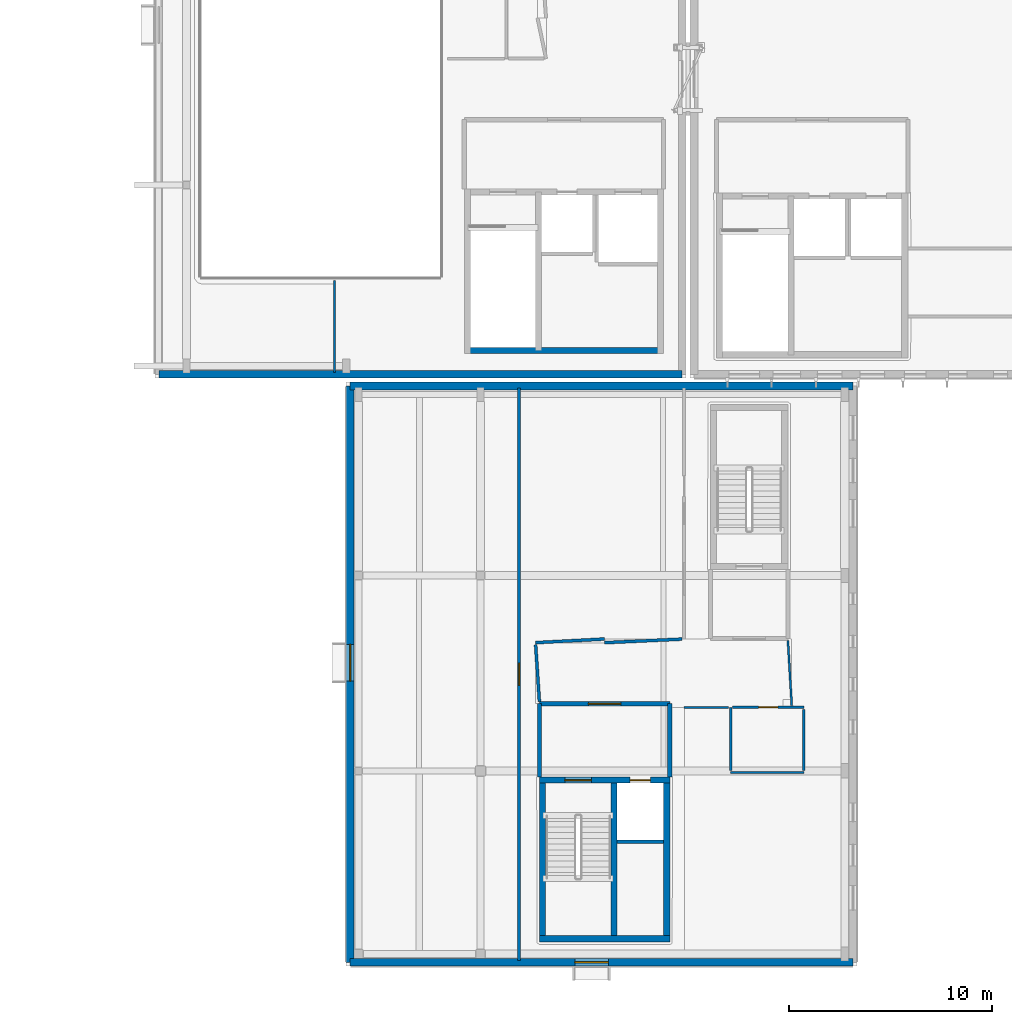
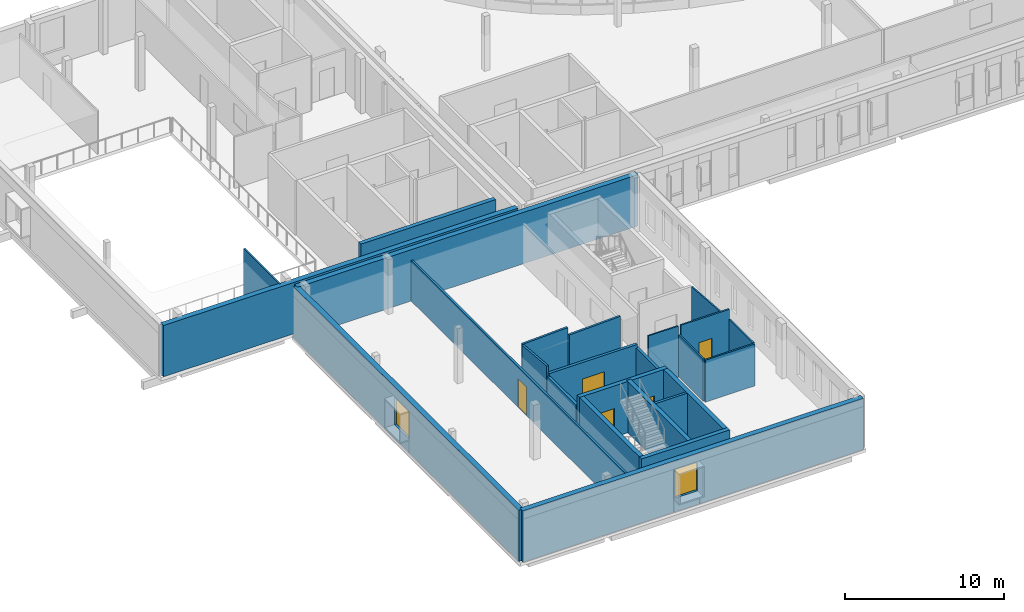
# One storey, part 37 of 73: 25 walls, 5 doors, 2 windows, 7 openings.
"""IFC4 building model written with IfcOpenShell, lengths in metres."""

from ifc_helpers import new_model, si_unit, direction, frame, frame_2d, origin, place, context, subcontext, project, spatial, rectangle, extrude, material, layer, layer_set, type_object, element, fill, save


model = new_model("IFC4")

# Units and contexts
model_context = context("Model", 3, precision=1e-05, world=origin(), true_north=direction((0.0, 1.0)))
body_context = subcontext(model_context, "Body", "Model", "MODEL_VIEW")
ifc_project = project(units=[si_unit("LENGTHUNIT", "METRE"), si_unit("AREAUNIT", "SQUARE_METRE"), si_unit("VOLUMEUNIT", "CUBIC_METRE"), si_unit("PLANEANGLEUNIT", "RADIAN"), si_unit("MASSUNIT", "GRAM", prefix="KILO")], contexts=[model_context])

# Site, building, storey
site_placement = place(None, origin())
site = spatial("IfcSite", under=ifc_project, at=site_placement, CompositionType="ELEMENT")
building_placement = place(site_placement, origin())
building = spatial("IfcBuilding", under=site, at=building_placement, Name="Mzevani Central Library", CompositionType="ELEMENT")
storey_placement = place(building_placement, frame((0.0, 0.0, 9.60009765625)))
storey = spatial("IfcBuildingStorey", under=building, at=storey_placement, Name="L02", CompositionType="ELEMENT", Elevation=9.60009765625)

# Wall
ifc_material_1 = material(Name="Concrete C35/45", Category="concrete")
ifc_layer_1 = layer(ifc_material_1, 0.199951171875, Name="Compartment Wall 200")
ifc_layer_set_1 = layer_set([ifc_layer_1], Name="Concrete C35/45")
wall_type_1 = type_object("IfcWallType", Name="Compartment Wall 200", PredefinedType="STANDARD", material=ifc_layer_set_1)
wall_1_placement = place(storey_placement, frame((38.699951171875, 22.89990234375, 0.0), z_axis=(0.0, 0.0, 1.0), x_axis=(0.0, 1.0, 0.0)))
element("IfcWall", 1, at=wall_1_placement, inside=storey, type_object=wall_type_1, Name="L02 Protected Stair Lobby C4A Enclosure Wall 1", PredefinedType="STANDARD", context=body_context, shape_type="SweptSolid", body=[
    extrude(rectangle(XDim=3.60009765625, YDim=0.199951171875, at=frame_2d((1.800048828125, 0.0))), origin(), (0.0, 0.0, 1.0), 3.219970703125),
])

# Wall, opening, door
wall_2_placement = place(storey_placement, frame((38.699951171875, 26.5, 0.0), z_axis=(0.0, 0.0, 1.0), x_axis=(1.0, 0.0, 0.0)))
wall_2 = element("IfcWall", 2, at=wall_2_placement, inside=storey, type_object=wall_type_1, Name="L02 Protected Stair Lobby C4A Enclosure Wall 2", PredefinedType="STANDARD", context=body_context, shape_type="SweptSolid", body=[
    extrude(rectangle(XDim=6.400146484375, YDim=0.199951171875, at=frame_2d((3.2001953125, 0.0))), origin(), (0.0, 0.0, 1.0), 3.469970703125),
])
opening_1_placement = place(wall_2_placement, frame((2.39990234375, 0.0, 0.0)))
opening_1 = element("IfcOpeningElement", 3, at=opening_1_placement, cuts=wall_2, Name="Opening FD-02", PredefinedType="OPENING", context=body_context, shape_type="SweptSolid", body=[
    extrude(rectangle(XDim=1.60009765625, YDim=2.199951171875, at=frame_2d((0.800048828125, 1.10009765625))), frame((0.0, 0.10986328125, 0.0), z_axis=(0.0, -1.0, 0.0), x_axis=(1.0, 0.0, 0.0)), (0.0, 0.0, 1.0), 0.219970703125),
])
ifc_material_2 = material(Name="Fire-rated steel door assembly", Category="steel")
door_type_1 = type_object("IfcDoorType", Name="Fire Lobby Double Door 1600x2200", OperationType="NOTDEFINED", PredefinedType="DOOR", material=ifc_material_2)
door_1_placement = place(opening_1_placement, origin())
door_1 = element("IfcDoor", 4, at=door_1_placement, inside=storey, type_object=door_type_1, Name="L02 Protected Stair Lobby C4A Smoke-Control Door", OperationType="DOUBLE_DOOR_SINGLE_SWING", OverallHeight=2.199951171875, OverallWidth=1.60009765625, PredefinedType="DOOR", context=body_context, shape_type="SweptSolid", body=[
    extrude(rectangle(XDim=1.60009765625, YDim=2.199951171875, at=frame_2d((0.800048828125, 1.10009765625))), frame((0.0, 0.02490234375, 0.0), z_axis=(0.0, -1.0, 0.0), x_axis=(1.0, 0.0, 0.0)), (0.0, 0.0, 1.0), 0.050048828125),
])
fill(opening_1, door_1)

# Walls
wall_3_placement = place(storey_placement, frame((45.10009765625, 26.5, 0.0), z_axis=(0.0, 0.0, 1.0), x_axis=(0.0, -1.0, 0.0)))
element("IfcWall", 5, at=wall_3_placement, inside=storey, type_object=wall_type_1, Name="L02 Protected Stair Lobby C4A Enclosure Wall 3", PredefinedType="STANDARD", context=body_context, shape_type="SweptSolid", body=[
    extrude(rectangle(XDim=3.60009765625, YDim=0.199951171875, at=frame_2d((1.800048828125, 0.0))), origin(), (0.0, 0.0, 1.0), 3.219970703125),
])
ifc_material_3 = material(Name="Concrete C40/50", Category="concrete")
ifc_layer_2 = layer(ifc_material_3, 0.300048828125, Name="Core Shear Wall 300")
ifc_layer_set_2 = layer_set([ifc_layer_2], Name="Concrete C40/50")
wall_type_2 = type_object("IfcWallType", Name="Core Shear Wall 300", PredefinedType="SHEAR", material=ifc_layer_set_2)
wall_4_placement = place(storey_placement, frame((45.10009765625, 14.949951171875, 0.0), z_axis=(0.0, 0.0, 1.0), x_axis=(-1.0, 0.0, 0.0)))
element("IfcWall", 6, at=wall_4_placement, inside=storey, type_object=wall_type_2, Name="L02 Core C4A Cultural Wing Core Shear Wall (-y)", PredefinedType="SHEAR", context=body_context, shape_type="SweptSolid", body=[
    extrude(rectangle(XDim=6.400146484375, YDim=0.300048828125, at=frame_2d((3.2001953125, 0.0))), origin(), (0.0, 0.0, 1.0), 3.93994140625),
])
wall_5_placement = place(storey_placement, frame((38.85009765625, 14.800048828125, 0.0), z_axis=(0.0, 0.0, 1.0), x_axis=(0.0, 1.0, 0.0)))
element("IfcWall", 7, at=wall_5_placement, inside=storey, type_object=wall_type_2, Name="L02 Core C4A Cultural Wing Core Shear Wall (-x)", PredefinedType="SHEAR", context=body_context, shape_type="SweptSolid", body=[
    extrude(rectangle(XDim=8.099853515625, YDim=0.300048828125, at=frame_2d((4.0498046875, 0.0))), origin(), (0.0, 0.0, 1.0), 3.93994140625),
])

# Wall, openings, doors
wall_6_placement = place(storey_placement, frame((38.699951171875, 22.75, 0.0), z_axis=(0.0, 0.0, 1.0), x_axis=(1.0, 0.0, 0.0)))
wall_6 = element("IfcWall", 8, at=wall_6_placement, inside=storey, type_object=wall_type_2, Name="L02 Core C4A Cultural Wing Core Shear Wall (+y)", PredefinedType="SHEAR", context=body_context, shape_type="SweptSolid", body=[
    extrude(rectangle(XDim=6.400146484375, YDim=0.300048828125, at=frame_2d((3.2001953125, 0.0))), origin(), (0.0, 0.0, 1.0), 3.93994140625),
])
opening_2_placement = place(wall_6_placement, frame((1.25, 0.0, 0.0)))
opening_2 = element("IfcOpeningElement", 9, at=opening_2_placement, cuts=wall_6, Name="Opening FD-01", PredefinedType="OPENING", context=body_context, shape_type="SweptSolid", body=[
    extrude(rectangle(XDim=1.300048828125, YDim=2.199951171875, at=frame_2d((0.64990234375, 1.10009765625))), frame((0.0, 0.16015625, 0.0), z_axis=(0.0, -1.0, 0.0), x_axis=(1.0, 0.0, 0.0)), (0.0, 0.0, 1.0), 0.320068359375),
])
opening_3_placement = place(wall_6_placement, frame((4.449951171875, 0.0, 0.0)))
opening_3 = element("IfcOpeningElement", 10, at=opening_3_placement, cuts=wall_6, Name="Opening LD-01", PredefinedType="OPENING", context=body_context, shape_type="SweptSolid", body=[
    extrude(rectangle(XDim=1.0, YDim=2.14990234375, at=frame_2d((0.5, 1.074951171875))), frame((0.0, 0.16015625, 0.0), z_axis=(0.0, -1.0, 0.0), x_axis=(1.0, 0.0, 0.0)), (0.0, 0.0, 1.0), 0.320068359375),
])
door_type_2 = type_object("IfcDoorType", Name="Fire Stair Door 1300x2200", OperationType="NOTDEFINED", PredefinedType="DOOR", material=ifc_material_2)
door_2_placement = place(opening_2_placement, origin())
door_2 = element("IfcDoor", 11, at=door_2_placement, inside=storey, type_object=door_type_2, Name="L02 ST-07 Protected Exit Stair Door", OperationType="SINGLE_SWING_LEFT", OverallHeight=2.199951171875, OverallWidth=1.300048828125, PredefinedType="DOOR", context=body_context, shape_type="SweptSolid", body=[
    extrude(rectangle(XDim=1.300048828125, YDim=2.199951171875, at=frame_2d((0.64990234375, 1.10009765625))), frame((0.0, 0.02490234375, 0.0), z_axis=(0.0, -1.0, 0.0), x_axis=(1.0, 0.0, 0.0)), (0.0, 0.0, 1.0), 0.050048828125),
])
fill(opening_2, door_2)
ifc_material_4 = material(Name="Brushed stainless steel door", Category="steel")
door_type_3 = type_object("IfcDoorType", Name="Passenger Lift Landing Door 1000x2150", OperationType="NOTDEFINED", PredefinedType="DOOR", material=ifc_material_4)
door_3_placement = place(opening_3_placement, origin())
door_3 = element("IfcDoor", 12, at=door_3_placement, inside=storey, type_object=door_type_3, Name="L02 Lift LF-P3 Sliding Landing Door", OperationType="SLIDING_TO_LEFT", OverallHeight=2.14990234375, OverallWidth=1.0, PredefinedType="DOOR", context=body_context, shape_type="SweptSolid", body=[
    extrude(rectangle(XDim=1.0, YDim=2.14990234375, at=frame_2d((0.5, 1.074951171875))), frame((0.0, 0.02490234375, 0.0), z_axis=(0.0, -1.0, 0.0), x_axis=(1.0, 0.0, 0.0)), (0.0, 0.0, 1.0), 0.050048828125),
])
fill(opening_3, door_3)

# Walls
wall_7_placement = place(storey_placement, frame((44.949951171875, 22.89990234375, 0.0), z_axis=(0.0, 0.0, 1.0), x_axis=(0.0, -1.0, 0.0)))
element("IfcWall", 13, at=wall_7_placement, inside=storey, type_object=wall_type_2, Name="L02 Core C4A Cultural Wing Core Shear Wall (+x)", PredefinedType="SHEAR", context=body_context, shape_type="SweptSolid", body=[
    extrude(rectangle(XDim=8.099853515625, YDim=0.300048828125, at=frame_2d((4.0498046875, 0.0))), origin(), (0.0, 0.0, 1.0), 3.93994140625),
])
wall_8_placement = place(storey_placement, frame((42.35009765625, 14.949951171875, 0.0), z_axis=(0.0, 0.0, 1.0), x_axis=(0.0, 1.0, 0.0)))
element("IfcWall", 14, at=wall_8_placement, inside=storey, type_object=wall_type_2, Name="L02 Core C4A Cultural Wing Core Hoistway Shear Wall", PredefinedType="SHEAR", context=body_context, shape_type="SweptSolid", body=[
    extrude(rectangle(XDim=7.800048828125, YDim=0.300048828125, at=frame_2d((3.89990234375, 0.0))), origin(), (0.0, 0.0, 1.0), 3.93994140625),
])
wall_9_placement = place(storey_placement, frame((44.800048828125, 43.85009765625, 0.0), z_axis=(0.0, 0.0, 1.0), x_axis=(-1.0, 0.0, 0.0)))
element("IfcWall", 15, at=wall_9_placement, inside=storey, type_object=wall_type_2, Name="L02 Core C5A Auditorium & Goods Core Shear Wall (-y)", PredefinedType="SHEAR", context=body_context, shape_type="SweptSolid", body=[
    extrude(rectangle(XDim=9.800048828125, YDim=0.300048828125, at=frame_2d((4.89990234375, 0.0))), origin(), (0.0, 0.0, 1.0), 4.199951171875),
])

# Wall, opening, window
ifc_material_5 = material(Name="Precast concrete C40/50", Category="concrete")
ifc_layer_3 = layer(ifc_material_5, 0.3798828125, Name="Exterior Thermal Concrete Wall 380")
ifc_layer_set_3 = layer_set([ifc_layer_3], Name="Precast concrete C40/50")
wall_type_3 = type_object("IfcWallType", Name="Exterior Thermal Concrete Wall 380", PredefinedType="STANDARD", material=ifc_layer_set_3)
wall_10_placement = place(storey_placement, frame((54.110107421875, 13.7900390625, 0.0), z_axis=(0.0, 0.0, 1.0), x_axis=(-1.0, 0.0, 0.0)))
wall_10 = element("IfcWall", 16, at=wall_10_placement, inside=storey, type_object=wall_type_3, Name="L02 V4 Exterior Thermal Wall (80)", PredefinedType="STANDARD", context=body_context, shape_type="SweptSolid", body=[
    extrude(rectangle(XDim=24.72021484375, YDim=0.3798828125, at=frame_2d((12.360107421875, 0.0))), origin(), (0.0, 0.0, 1.0), 3.93994140625),
])
opening_4_placement = place(wall_10_placement, frame((12.029296875, 0.0, 1.050048828125)))
opening_4 = element("IfcOpeningElement", 17, at=opening_4_placement, cuts=wall_10, Name="Opening W-13", PredefinedType="OPENING", context=body_context, shape_type="SweptSolid", body=[
    extrude(rectangle(XDim=1.64990234375, YDim=2.199951171875, at=frame_2d((0.824951171875, 1.10009765625))), frame((0.0, 0.199951171875, 0.0), z_axis=(0.0, -1.0, 0.0), x_axis=(1.0, 0.0, 0.0)), (0.0, 0.0, 1.0), 0.39990234375),
])
ifc_material_6 = material(Name="Low-E triple glazing glass", Category="glass")
window_type_1 = type_object("IfcWindowType", Name="Deep Reveal Window 1650x2200", PartitioningType="SINGLE_PANEL", PredefinedType="WINDOW", material=ifc_material_6)
window_1_placement = place(opening_4_placement, origin())
window_1 = element("IfcWindow", 18, at=window_1_placement, inside=storey, type_object=window_type_1, Name="L02 V4 Deep-Reveal Window W-13 (163)", OverallHeight=2.199951171875, OverallWidth=1.64990234375, PartitioningType="SINGLE_PANEL", PredefinedType="WINDOW", context=body_context, shape_type="SweptSolid", body=[
    extrude(rectangle(XDim=1.64990234375, YDim=2.199951171875, at=frame_2d((0.824951171875, 1.10009765625))), frame((0.0, 0.030029296875, 0.0), z_axis=(0.0, -1.0, 0.0), x_axis=(1.0, 0.0, 0.0)), (0.0, 0.0, 1.0), 0.06005859375),
])
fill(opening_4, window_1)

wall_11_placement = place(storey_placement, frame((29.389892578125, 13.7900390625, 0.0), z_axis=(0.0, 0.0, 1.0), x_axis=(0.0, 1.0, 0.0)))
wall_11 = element("IfcWall", 19, at=wall_11_placement, inside=storey, type_object=wall_type_3, Name="L02 V4 Exterior Thermal Wall (81)", PredefinedType="STANDARD", context=body_context, shape_type="SweptSolid", body=[
    extrude(rectangle(XDim=28.320068359375, YDim=0.3798828125, at=frame_2d((14.16015625, 0.0))), origin(), (0.0, 0.0, 1.0), 3.93994140625),
])
opening_5_placement = place(wall_11_placement, frame((13.826416015625, 0.0, 1.050048828125)))
opening_5 = element("IfcOpeningElement", 20, at=opening_5_placement, cuts=wall_11, Name="Opening W-14", PredefinedType="OPENING", context=body_context, shape_type="SweptSolid", body=[
    extrude(rectangle(XDim=1.800048828125, YDim=2.10009765625, at=frame_2d((0.89990234375, 1.050048828125))), frame((0.0, 0.199951171875, 0.0), z_axis=(0.0, -1.0, 0.0), x_axis=(1.0, 0.0, 0.0)), (0.0, 0.0, 1.0), 0.39990234375),
])
window_type_2 = type_object("IfcWindowType", Name="Deep Reveal Window 1800x2100", PartitioningType="SINGLE_PANEL", PredefinedType="WINDOW", material=ifc_material_6)
window_2_placement = place(opening_5_placement, origin())
window_2 = element("IfcWindow", 21, at=window_2_placement, inside=storey, type_object=window_type_2, Name="L02 V4 Deep-Reveal Window W-14 (164)", OverallHeight=2.10009765625, OverallWidth=1.800048828125, PartitioningType="SINGLE_PANEL", PredefinedType="WINDOW", context=body_context, shape_type="SweptSolid", body=[
    extrude(rectangle(XDim=1.800048828125, YDim=2.10009765625, at=frame_2d((0.89990234375, 1.050048828125))), frame((0.0, 0.030029296875, 0.0), z_axis=(0.0, -1.0, 0.0), x_axis=(1.0, 0.0, 0.0)), (0.0, 0.0, 1.0), 0.06005859375),
])
fill(opening_5, window_2)

# Walls
wall_12_placement = place(storey_placement, frame((29.389892578125, 42.110107421875, 0.0), z_axis=(0.0, 0.0, 1.0), x_axis=(1.0, 0.0, 0.0)))
element("IfcWall", 22, at=wall_12_placement, inside=storey, type_object=wall_type_3, Name="L02 V4 Exterior Thermal Wall (82)", PredefinedType="STANDARD", context=body_context, shape_type="SweptSolid", body=[
    extrude(rectangle(XDim=24.72021484375, YDim=0.3798828125, at=frame_2d((12.360107421875, 0.0))), origin(), (0.0, 0.0, 1.0), 3.93994140625),
])
wall_13_placement = place(storey_placement, frame((45.7099609375, 42.68994140625, 0.0), z_axis=(0.0, 0.0, 1.0), x_axis=(-1.0, 0.0, 0.0)))
element("IfcWall", 23, at=wall_13_placement, inside=storey, type_object=wall_type_3, Name="L02 V5 Exterior Thermal Wall (99)", PredefinedType="STANDARD", context=body_context, shape_type="SweptSolid", body=[
    extrude(rectangle(XDim=25.719970703125, YDim=0.3798828125, at=frame_2d((12.85986328125, 0.0))), origin(), (0.0, 0.0, 1.0), 3.93994140625),
])
ifc_material_7 = material(Name="Fire-rated gypsum board", Category="gypsum")
ifc_layer_4 = layer(ifc_material_7, 0.1201171875, Name="Partition Acoustic 120")
ifc_layer_set_4 = layer_set([ifc_layer_4], Name="Fire-rated gypsum board")
wall_type_4 = type_object("IfcWallType", Name="Partition Acoustic 120", PredefinedType="PARTITIONING", material=ifc_layer_set_4)
wall_14_placement = place(storey_placement, frame((51.68994140625, 23.1201171875, 0.0), z_axis=(0.0, 0.0, 1.0), x_axis=(-1.0, 0.0, 0.0)))
element("IfcWall", 24, at=wall_14_placement, inside=storey, type_object=wall_type_4, Name="L02 V4 Partition IW-02 (458)", PredefinedType="PARTITIONING", context=body_context, shape_type="SweptSolid", body=[
    extrude(rectangle(XDim=3.599853515625, YDim=0.1201171875, at=frame_2d((1.7998046875, 0.0))), origin(), (0.0, 0.0, 1.0), 3.219970703125),
])
wall_15_placement = place(storey_placement, frame((48.090087890625, 23.219970703125, 0.0), z_axis=(0.0, 0.0, 1.0), x_axis=(0.0, 1.0, 0.0)))
element("IfcWall", 25, at=wall_15_placement, inside=storey, type_object=wall_type_4, Name="L02 V4 Partition IW-02 (459)", PredefinedType="PARTITIONING", context=body_context, shape_type="SweptSolid", body=[
    extrude(rectangle(XDim=3.10009765625, YDim=0.1201171875, at=frame_2d((1.550048828125, 0.0))), origin(), (0.0, 0.0, 1.0), 3.219970703125),
])

# Wall, opening, door
wall_16_placement = place(storey_placement, frame((48.18994140625, 26.320068359375, 0.0), z_axis=(0.0, 0.0, 1.0), x_axis=(1.0, 0.0, 0.0)))
wall_16 = element("IfcWall", 26, at=wall_16_placement, inside=storey, type_object=wall_type_4, Name="L02 V4 Partition IW-02 (460)", PredefinedType="PARTITIONING", context=body_context, shape_type="SweptSolid", body=[
    extrude(rectangle(XDim=3.5, YDim=0.1201171875, at=frame_2d((1.75, 0.0))), origin(), (0.0, 0.0, 1.0), 3.93994140625),
])
opening_6_placement = place(wall_16_placement, frame((1.27490234375, 0.0, 0.0)))
opening_6 = element("IfcOpeningElement", 27, at=opening_6_placement, cuts=wall_16, Name="Opening ID-02", PredefinedType="OPENING", context=body_context, shape_type="SweptSolid", body=[
    extrude(rectangle(XDim=0.949951171875, YDim=2.14990234375, at=frame_2d((0.47509765625, 1.074951171875))), frame((0.0, 0.070068359375, 0.0), z_axis=(0.0, -1.0, 0.0), x_axis=(1.0, 0.0, 0.0)), (0.0, 0.0, 1.0), 0.14013671875),
])
ifc_material_8 = material(Name="Fire-rated solid oak leaf")
door_type_4 = type_object("IfcDoorType", Name="Accessible WC Door 950x2150", OperationType="NOTDEFINED", PredefinedType="DOOR", material=ifc_material_8)
door_4_placement = place(opening_6_placement, origin())
door_4 = element("IfcDoor", 28, at=door_4_placement, inside=storey, type_object=door_type_4, Name="L02 Accessible WC and Public Toilet V4 Door", OperationType="SINGLE_SWING_RIGHT", OverallHeight=2.14990234375, OverallWidth=0.949951171875, PredefinedType="DOOR", context=body_context, shape_type="SweptSolid", body=[
    extrude(rectangle(XDim=0.949951171875, YDim=2.14990234375, at=frame_2d((0.47509765625, 1.074951171875))), frame((0.0, 0.02490234375, 0.0), z_axis=(0.0, -1.0, 0.0), x_axis=(1.0, 0.0, 0.0)), (0.0, 0.0, 1.0), 0.050048828125),
])
fill(opening_6, door_4)

# Walls
wall_17_placement = place(storey_placement, frame((51.68994140625, 26.219970703125, 0.0), z_axis=(0.0, 0.0, 1.0), x_axis=(0.0, -1.0, 0.0)))
element("IfcWall", 29, at=wall_17_placement, inside=storey, type_object=wall_type_4, Name="L02 V4 Partition IW-02 (461)", PredefinedType="PARTITIONING", context=body_context, shape_type="SweptSolid", body=[
    extrude(rectangle(XDim=3.0, YDim=0.1201171875, at=frame_2d((1.5, 0.0))), origin(), (0.0, 0.0, 1.0), 3.219970703125),
])
ifc_layer_5 = layer(ifc_material_7, 0.10009765625, Name="Partition Gypsum 100")
ifc_layer_set_5 = layer_set([ifc_layer_5], Name="Fire-rated gypsum board")
wall_type_5 = type_object("IfcWallType", Name="Partition Gypsum 100", PredefinedType="PARTITIONING", material=ifc_layer_set_5)
wall_18_placement = place(storey_placement, frame((45.806640625, 26.320068359375, 0.0), z_axis=(0.0, 0.0, 1.0), x_axis=(1.0, 0.0, 0.0)))
element("IfcWall", 30, at=wall_18_placement, inside=storey, type_object=wall_type_5, Name="L02 V4 Partition IW-01 (467)", PredefinedType="PARTITIONING", context=body_context, shape_type="SweptSolid", body=[
    extrude(rectangle(XDim=2.183349609375, YDim=0.10009765625, at=frame_2d((1.091796875, 0.0))), origin(), (0.0, 0.0, 1.0), 3.93994140625),
])
wall_19_placement = place(storey_placement, frame((51.093994140625, 26.419921875, 0.0), z_axis=(0.0, 0.0, 1.0), x_axis=(-0.059009535749, 0.998257419051, 0.0)))
element("IfcWall", 31, at=wall_19_placement, inside=storey, type_object=wall_type_5, Name="L02 V4 Partition IW-01 (468)", PredefinedType="PARTITIONING", context=body_context, shape_type="SweptSolid", body=[
    extrude(rectangle(XDim=3.185791015625, YDim=0.10009765625, at=frame_2d((1.5927734375, 0.0))), origin(), (0.0, 0.0, 1.0), 3.93994140625),
])
wall_20_placement = place(storey_placement, frame((28.626708984375, 47.300048828125, 0.0), z_axis=(0.0, 0.0, 1.0), x_axis=(0.0, -1.0, 0.0)))
element("IfcWall", 32, at=wall_20_placement, inside=storey, type_object=wall_type_5, Name="L02 V5 Partition IW-01 (470)", PredefinedType="PARTITIONING", context=body_context, shape_type="SweptSolid", body=[
    extrude(rectangle(XDim=4.510009765625, YDim=0.10009765625, at=frame_2d((2.2548828125, 0.0))), origin(), (0.0, 0.0, 1.0), 3.93994140625),
])

# Wall, opening, door
ifc_layer_6 = layer(ifc_material_7, 0.14990234375, Name="Partition Study 150")
ifc_layer_set_6 = layer_set([ifc_layer_6], Name="Fire-rated gypsum board")
wall_type_6 = type_object("IfcWallType", Name="Partition Study 150", PredefinedType="PARTITIONING", material=ifc_layer_set_6)
wall_21_placement = place(storey_placement, frame((37.693359375, 42.010009765625, 0.0), z_axis=(0.0, 0.0, 1.0), x_axis=(0.0, -1.0, 0.0)))
wall_21 = element("IfcWall", 33, at=wall_21_placement, inside=storey, type_object=wall_type_6, Name="L02 V4 Partition IW-03 (462)", PredefinedType="PARTITIONING", context=body_context, shape_type="SweptSolid", body=[
    extrude(rectangle(XDim=28.1201171875, YDim=0.14990234375, at=frame_2d((14.06005859375, 0.0))), origin(), (0.0, 0.0, 1.0), 3.119873046875),
])
opening_7_placement = place(wall_21_placement, frame((13.510009765625, 0.0, 0.0)))
opening_7 = element("IfcOpeningElement", 34, at=opening_7_placement, cuts=wall_21, Name="Opening ID-08", PredefinedType="OPENING", context=body_context, shape_type="SweptSolid", body=[
    extrude(rectangle(XDim=1.10009765625, YDim=2.199951171875, at=frame_2d((0.550048828125, 1.10009765625))), frame((0.0, 0.0849609375, 0.0), z_axis=(0.0, -1.0, 0.0), x_axis=(1.0, 0.0, 0.0)), (0.0, 0.0, 1.0), 0.169921875),
])
door_type_5 = type_object("IfcDoorType", Name="Seminar Room Door 1100x2200", OperationType="NOTDEFINED", PredefinedType="DOOR", material=ifc_material_8)
door_5_placement = place(opening_7_placement, origin())
door_5 = element("IfcDoor", 35, at=door_5_placement, inside=storey, type_object=door_type_5, Name="L02 Civic Innovation Seminar Suite Door", OperationType="SINGLE_SWING_LEFT", OverallHeight=2.199951171875, OverallWidth=1.10009765625, PredefinedType="DOOR", context=body_context, shape_type="SweptSolid", body=[
    extrude(rectangle(XDim=1.10009765625, YDim=2.199951171875, at=frame_2d((0.550048828125, 1.10009765625))), frame((0.0, 0.02490234375, 0.0), z_axis=(0.0, -1.0, 0.0), x_axis=(1.0, 0.0, 0.0)), (0.0, 0.0, 1.0), 0.050048828125),
])
fill(opening_7, door_5)

# Walls
wall_22_placement = place(storey_placement, frame((45.706787109375, 29.67529296875, 0.0), z_axis=(0.0, 0.0, 1.0), x_axis=(-0.998941551841, -0.045997565204, 0.0)))
element("IfcWall", 36, at=wall_22_placement, inside=storey, type_object=wall_type_6, Name="L02 V4 Partition IW-03 (464)", PredefinedType="PARTITIONING", context=body_context, shape_type="SweptSolid", body=[
    extrude(rectangle(XDim=3.81103515625, YDim=0.14990234375, at=frame_2d((1.905517578125, 0.0))), origin(), (0.0, 0.0, 1.0), 3.469970703125),
])
wall_23_placement = place(storey_placement, frame((41.89990234375, 29.679931640625, 0.0), z_axis=(0.0, 0.0, 1.0), x_axis=(-0.998602534522, -0.052848633344, 0.0)))
element("IfcWall", 37, at=wall_23_placement, inside=storey, type_object=wall_type_6, Name="L02 V4 Partition IW-03 (465)", PredefinedType="PARTITIONING", context=body_context, shape_type="SweptSolid", body=[
    extrude(rectangle(XDim=3.404541015625, YDim=0.14990234375, at=frame_2d((1.7021484375, 0.0))), origin(), (0.0, 0.0, 1.0), 3.93994140625),
])
wall_24_placement = place(storey_placement, frame((38.506591796875, 29.400146484375, 0.0), z_axis=(0.0, 0.0, 1.0), x_axis=(0.066547879088, -0.997783232866, 0.0)))
element("IfcWall", 38, at=wall_24_placement, inside=storey, type_object=wall_type_6, Name="L02 V4 Partition IW-03 (466)", PredefinedType="PARTITIONING", context=body_context, shape_type="SweptSolid", body=[
    extrude(rectangle(XDim=2.806396484375, YDim=0.14990234375, at=frame_2d((1.4033203125, 0.0))), origin(), (0.0, 0.0, 1.0), 3.93994140625),
])
ifc_material_9 = material(Name="Concrete blockwork masonry", Category="masonry")
ifc_layer_7 = layer(ifc_material_9, 0.179931640625, Name="Shaft Enclosure Wall 180")
ifc_layer_set_7 = layer_set([ifc_layer_7], Name="Concrete blockwork masonry")
wall_type_7 = type_object("IfcWallType", Name="Shaft Enclosure Wall 180", PredefinedType="PARTITIONING", material=ifc_layer_set_7)
wall_25_placement = place(storey_placement, frame((42.5, 19.7099609375, 0.0), z_axis=(0.0, 0.0, 1.0), x_axis=(1.0, 0.0, 0.0)))
element("IfcWall", 39, at=wall_25_placement, inside=storey, type_object=wall_type_7, Name="L02 Lift LF-P3 Hoistway Enclosure Wall", PredefinedType="PARTITIONING", context=body_context, shape_type="SweptSolid", body=[
    extrude(rectangle(XDim=2.300048828125, YDim=0.179931640625, at=frame_2d((1.14990234375, 0.0))), origin(), (0.0, 0.0, 1.0), 3.93994140625),
])

save(model, "model.ifc")
